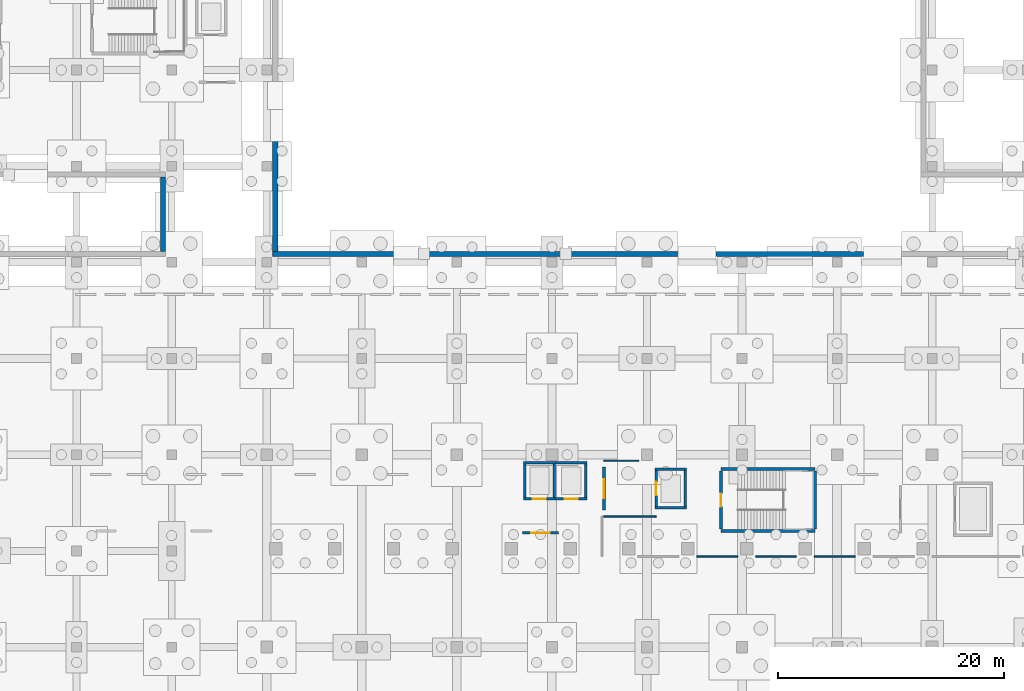
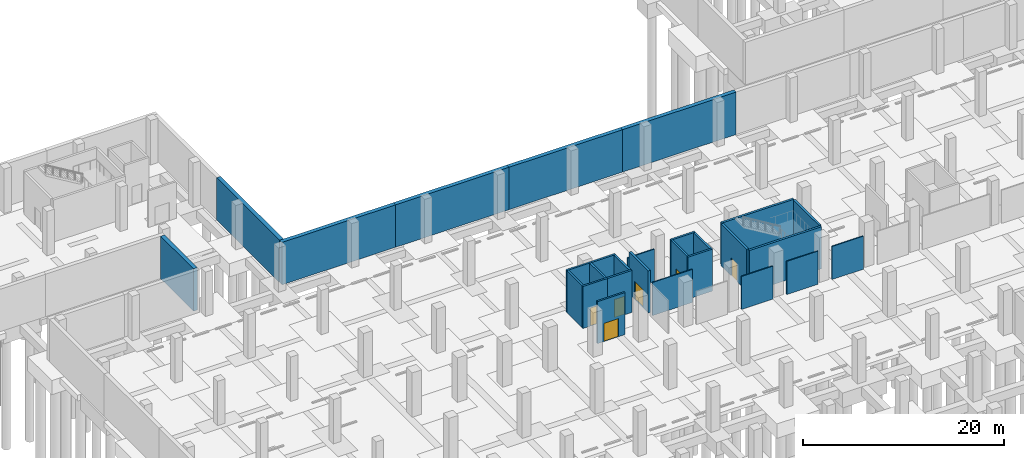
# One storey, part 25 of 34: 28 walls, 6 doors, 6 openings.
"""IFC4 building model written with IfcOpenShell, lengths in metres."""

from ifc_helpers import new_model, si_unit, direction, frame, frame_2d, origin, place, context, subcontext, project, spatial, rectangle, extrude, material, layer, layer_set, type_object, element, fill, save


model = new_model("IFC4")

# Units and contexts
model_context = context("Model", 3, precision=1e-05, world=origin(), true_north=direction((0.0, 1.0)))
body_context = subcontext(model_context, "Body", "Model", "MODEL_VIEW")
ifc_project = project(units=[si_unit("LENGTHUNIT", "METRE"), si_unit("AREAUNIT", "SQUARE_METRE"), si_unit("VOLUMEUNIT", "CUBIC_METRE"), si_unit("PLANEANGLEUNIT", "RADIAN"), si_unit("MASSUNIT", "GRAM", prefix="KILO")], contexts=[model_context])

# Site, building, storey
site_placement = place(None, origin())
site = spatial("IfcSite", under=ifc_project, at=site_placement, CompositionType="ELEMENT")
building_placement = place(site_placement, origin())
building = spatial("IfcBuilding", under=site, at=building_placement, Name="Solvento Point Concert Hall", CompositionType="ELEMENT")
storey_placement = place(building_placement, frame((0.0, 0.0, -5.39990234375)))
storey = spatial("IfcBuildingStorey", under=building, at=storey_placement, Name="B01", CompositionType="ELEMENT", Elevation=-5.39990234375)

# Walls
ifc_material_1 = material(Name="Acoustic Double-Stud Gypsum Partition")
ifc_layer_1 = layer(ifc_material_1, 0.1201171875)
ifc_layer_set_1 = layer_set([ifc_layer_1], Name="Acoustic Double-Stud Gypsum Partition")
wall_type_1 = type_object("IfcWallType", Name="AcousticPartition_120", PredefinedType="PARTITIONING", material=ifc_layer_set_1)
for number, where, z_axis, x_axis, name in (
    (1, (126.39990234375, 84.52001953125, 0.0), (0.0, 0.0, 1.0), (-1.0, 0.0, 0.0), "Interior acoustic partition PW-52 B01"),
    (2, (121.199951171875, 84.52001953125, 0.0), (0.0, 0.0, 1.0), (-1.0, 0.0, 0.0), "Interior acoustic partition PW-52 B01"),
):
    element("IfcWall", number, at=place(storey_placement, frame(where, z_axis=z_axis, x_axis=x_axis)), inside=storey, type_object=wall_type_1, Name=name, PredefinedType="PARTITIONING", context=body_context, shape_type="SweptSolid", body=[
        extrude(rectangle(XDim=3.599853515625, YDim=0.1201171875, at=frame_2d((1.7998046875, 0.0))), origin(), (0.0, 0.0, 1.0), 4.02001953125),
    ])
wall_1_placement = place(storey_placement, frame((116.0, 84.52001953125, 0.0), z_axis=(0.0, 0.0, 1.0), x_axis=(-1.0, 0.0, 0.0)))
element("IfcWall", 3, at=wall_1_placement, inside=storey, type_object=wall_type_1, Name="Interior acoustic partition PW-52 B01", PredefinedType="PARTITIONING", context=body_context, shape_type="SweptSolid", body=[
    extrude(rectangle(XDim=3.60009765625, YDim=0.1201171875, at=frame_2d((1.800048828125, 0.0))), origin(), (0.0, 0.0, 1.0), 4.02001953125),
])
wall_2_placement = place(storey_placement, frame((104.199462890625, 88.030029296875, 0.0), z_axis=(0.0, 0.0, 1.0), x_axis=(1.0, 0.0, 0.0)))
element("IfcWall", 4, at=wall_2_placement, inside=storey, type_object=wall_type_1, Name="Interior acoustic partition PW-52 B01", PredefinedType="PARTITIONING", context=body_context, shape_type="SweptSolid", body=[
    extrude(rectangle(XDim=4.60107421875, YDim=0.1201171875, at=frame_2d((2.300537109375, 0.0))), origin(), (0.0, 0.0, 1.0), 4.02001953125),
])
wall_3_placement = place(storey_placement, frame((107.25, 92.969970703125, 0.0), z_axis=(0.0, 0.0, 1.0), x_axis=(-1.0, 0.0, 0.0)))
element("IfcWall", 5, at=wall_3_placement, inside=storey, type_object=wall_type_1, Name="Interior acoustic partition PW-52 B01", PredefinedType="PARTITIONING", context=body_context, shape_type="SweptSolid", body=[
    extrude(rectangle(XDim=3.050537109375, YDim=0.1201171875, at=frame_2d((1.525390625, 0.0))), origin(), (0.0, 0.0, 1.0), 4.02001953125),
])

# Wall, opening, door
ifc_material_2 = material(Name="Acoustic Double-Stud Gypsum Partition")
ifc_layer_2 = layer(ifc_material_2, 0.2080078125)
ifc_layer_set_2 = layer_set([ifc_layer_2], Name="Acoustic Double-Stud Gypsum Partition")
wall_type_2 = type_object("IfcWallType", Name="AcousticPartition_208", PredefinedType="PARTITIONING", material=ifc_layer_set_2)
wall_4_placement = place(storey_placement, frame((97.0, 86.60009765625, 0.0), z_axis=(0.0, 0.0, 1.0), x_axis=(1.0, 0.0, 0.0)))
wall_4 = element("IfcWall", 6, at=wall_4_placement, inside=storey, type_object=wall_type_2, Name="Lift lobby partition LP-01 B01", PredefinedType="PARTITIONING", context=body_context, shape_type="SweptSolid", body=[
    extrude(rectangle(XDim=3.199951171875, YDim=0.2080078125, at=frame_2d((1.60009765625, 0.0))), origin(), (0.0, 0.0, 1.0), 5.099853515625),
])
opening_1_placement = place(wall_4_placement, frame((0.77490234375, 0.0, 0.0)))
opening_1 = element("IfcOpeningElement", 7, at=opening_1_placement, cuts=wall_4, Name="Opening D-FL1", PredefinedType="OPENING", context=body_context, shape_type="SweptSolid", body=[
    extrude(rectangle(XDim=1.64990234375, YDim=2.199951171875, at=frame_2d((0.824951171875, 1.10009765625))), frame((0.0, 0.114013671875, 0.0), z_axis=(0.0, -1.0, 0.0), x_axis=(1.0, 0.0, 0.0)), (0.0, 0.0, 1.0), 0.22802734375),
])
ifc_material_3 = material(Name="Hollow Metal Acoustic Fire Door")
door_type_1 = type_object("IfcDoorType", Name="FireLobbyDoor_1600", OperationType="DOUBLE_DOOR_SINGLE_SWING", PredefinedType="DOOR", material=ifc_material_3)
door_1_placement = place(opening_1_placement, origin())
door_1 = element("IfcDoor", 8, at=door_1_placement, inside=storey, type_object=door_type_1, Name="Lift lobby door LP-01 B01", OperationType="DOUBLE_DOOR_SINGLE_SWING", OverallHeight=2.199951171875, OverallWidth=1.64990234375, PredefinedType="DOOR", context=body_context, shape_type="SweptSolid", body=[
    extrude(rectangle(XDim=1.64990234375, YDim=2.199951171875, at=frame_2d((0.824951171875, 1.10009765625))), frame((0.0, 0.02490234375, 0.0), z_axis=(0.0, -1.0, 0.0), x_axis=(1.0, 0.0, 0.0)), (0.0, 0.0, 1.0), 0.050048828125),
])
fill(opening_1, door_1)

# Walls
ifc_material_4 = material(Name="Concrete C40/50", Category="concrete")
ifc_layer_3 = layer(ifc_material_4, 0.300048828125)
ifc_layer_set_3 = layer_set([ifc_layer_3], Name="Concrete C40/50")
wall_type_3 = type_object("IfcWallType", Name="CoreShearWall_300", PredefinedType="SHEAR", material=ifc_layer_set_3)
for number, where, z_axis, x_axis, name in (
    (9, (122.85009765625, 86.75, 0.0), (0.0, 0.0, 1.0), (-1.0, 0.0, 0.0), "Stair core shear wall W-SH1 ST-03 B01"),
    (10, (114.550048828125, 92.25, 0.0), (0.0, 0.0, 1.0), (1.0, 0.0, 0.0), "Stair core shear wall W-SH1 ST-03 B01"),
):
    element("IfcWall", number, at=place(storey_placement, frame(where, z_axis=z_axis, x_axis=x_axis)), inside=storey, type_object=wall_type_3, Name=name, PredefinedType="SHEAR", context=body_context, shape_type="SweptSolid", body=[
        extrude(rectangle(XDim=8.300048828125, YDim=0.25, at=frame_2d((4.14990234375, 0.0))), origin(), (0.0, 0.0, 1.0), 5.099853515625),
    ])

# Wall, opening, door
wall_5_placement = place(storey_placement, frame((114.550048828125, 86.949951171875, 0.0), z_axis=(0.0, 0.0, 1.0), x_axis=(0.0, 1.0, 0.0)))
wall_5 = element("IfcWall", 11, at=wall_5_placement, inside=storey, type_object=wall_type_3, Name="Stair core shear wall W-SH1 ST-03 B01", PredefinedType="SHEAR", context=body_context, shape_type="SweptSolid", body=[
    extrude(rectangle(XDim=5.10009765625, YDim=0.25, at=frame_2d((2.550048828125, 0.0))), origin(), (0.0, 0.0, 1.0), 5.099853515625),
])
opening_2_placement = place(wall_5_placement, frame((1.97509765625, 0.0, 0.0)))
opening_2 = element("IfcOpeningElement", 12, at=opening_2_placement, cuts=wall_5, Name="Opening D-ST1", PredefinedType="OPENING", context=body_context, shape_type="SweptSolid", body=[
    extrude(rectangle(XDim=1.14990234375, YDim=2.179931640625, at=frame_2d((0.574951171875, 1.08984375))), frame((0.0, 0.135009765625, 0.0), z_axis=(0.0, -1.0, 0.0), x_axis=(1.0, 0.0, 0.0)), (0.0, 0.0, 1.0), 0.27001953125),
])
ifc_material_5 = material(Name="Hollow Metal Acoustic Fire Door")
door_type_2 = type_object("IfcDoorType", Name="StairFireDoor_1150", OperationType="NOTDEFINED", PredefinedType="DOOR", material=ifc_material_5)
door_2_placement = place(opening_2_placement, origin())
door_2 = element("IfcDoor", 13, at=door_2_placement, inside=storey, type_object=door_type_2, Name="Protected exit stair door ST-03 B01", OperationType="SINGLE_SWING_LEFT", OverallHeight=2.179931640625, OverallWidth=1.14990234375, PredefinedType="DOOR", context=body_context, shape_type="SweptSolid", body=[
    extrude(rectangle(XDim=1.14990234375, YDim=2.179931640625, at=frame_2d((0.574951171875, 1.08984375))), frame((0.0, 0.02490234375, 0.0), z_axis=(0.0, -1.0, 0.0), x_axis=(1.0, 0.0, 0.0)), (0.0, 0.0, 1.0), 0.050048828125),
])
fill(opening_2, door_2)

# Walls
wall_6_placement = place(storey_placement, frame((122.85009765625, 92.050048828125, 0.0), z_axis=(0.0, 0.0, 1.0), x_axis=(0.0, -1.0, 0.0)))
element("IfcWall", 14, at=wall_6_placement, inside=storey, type_object=wall_type_3, Name="Stair core shear wall W-SH1 ST-03 B01", PredefinedType="SHEAR", context=body_context, shape_type="SweptSolid", body=[
    extrude(rectangle(XDim=5.10009765625, YDim=0.25, at=frame_2d((2.550048828125, 0.0))), origin(), (0.0, 0.0, 1.0), 5.099853515625),
])
for number, where, z_axis, x_axis, name in (
    (15, (108.68994140625, 88.800048828125, 0.0), (0.0, 0.0, 1.0), (1.0, 0.0, 0.0), "Elevator shaft shear wall W-SH1 LF-02 B01"),
    (16, (108.68994140625, 92.199951171875, 0.0), (0.0, 0.0, 1.0), (1.0, 0.0, 0.0), "Elevator shaft shear wall W-SH1 LF-02 B01"),
):
    element("IfcWall", number, at=place(storey_placement, frame(where, z_axis=z_axis, x_axis=x_axis)), inside=storey, type_object=wall_type_3, Name=name, PredefinedType="SHEAR", context=body_context, shape_type="SweptSolid", body=[
        extrude(rectangle(XDim=2.820068359375, YDim=0.219970703125, at=frame_2d((1.41015625, 0.0))), origin(), (0.0, 0.0, 1.0), 5.099853515625),
    ])

# Wall, opening, door
wall_7_placement = place(storey_placement, frame((108.800048828125, 88.909912109375, 0.0), z_axis=(0.0, 0.0, 1.0), x_axis=(0.0, 1.0, 0.0)))
wall_7 = element("IfcWall", 17, at=wall_7_placement, inside=storey, type_object=wall_type_3, Name="Elevator shaft shear wall W-SH1 LF-02 B01", PredefinedType="SHEAR", context=body_context, shape_type="SweptSolid", body=[
    extrude(rectangle(XDim=3.18017578125, YDim=0.219970703125, at=frame_2d((1.590087890625, 0.0))), origin(), (0.0, 0.0, 1.0), 5.099853515625),
])
opening_3_placement = place(wall_7_placement, frame((0.989990234375, 0.0, 0.0)))
opening_3 = element("IfcOpeningElement", 18, at=opening_3_placement, cuts=wall_7, Name="Opening LD-01", PredefinedType="OPENING", context=body_context, shape_type="SweptSolid", body=[
    extrude(rectangle(XDim=1.199951171875, YDim=2.25, at=frame_2d((0.60009765625, 1.125))), frame((0.0, 0.119873046875, 0.0), z_axis=(0.0, -1.0, 0.0), x_axis=(1.0, 0.0, 0.0)), (0.0, 0.0, 1.0), 0.239990234375),
])
ifc_material_6 = material(Name="Hollow Metal Acoustic Fire Door")
door_type_3 = type_object("IfcDoorType", Name="LiftLandingDoor_FF", OperationType="SLIDING_TO_LEFT", PredefinedType="DOOR", material=ifc_material_6)
door_3_placement = place(opening_3_placement, origin())
door_3 = element("IfcDoor", 19, at=door_3_placement, inside=storey, type_object=door_type_3, Name="Elevator landing door LF-02 B01", OperationType="SLIDING_TO_LEFT", OverallHeight=2.25, OverallWidth=1.199951171875, PredefinedType="DOOR", context=body_context, shape_type="SweptSolid", body=[
    extrude(rectangle(XDim=1.199951171875, YDim=2.25, at=frame_2d((0.60009765625, 1.125))), frame((0.0, 0.02490234375, 0.0), z_axis=(0.0, -1.0, 0.0), x_axis=(1.0, 0.0, 0.0)), (0.0, 0.0, 1.0), 0.050048828125),
])
fill(opening_3, door_3)

# Wall
wall_8_placement = place(storey_placement, frame((111.39990234375, 88.909912109375, 0.0), z_axis=(0.0, 0.0, 1.0), x_axis=(0.0, 1.0, 0.0)))
element("IfcWall", 20, at=wall_8_placement, inside=storey, type_object=wall_type_3, Name="Elevator shaft shear wall W-SH1 LF-02 B01", PredefinedType="SHEAR", context=body_context, shape_type="SweptSolid", body=[
    extrude(rectangle(XDim=3.18017578125, YDim=0.219970703125, at=frame_2d((1.590087890625, 0.0))), origin(), (0.0, 0.0, 1.0), 5.099853515625),
])

# Wall, opening, door
wall_9_placement = place(storey_placement, frame((97.090087890625, 89.60009765625, 0.0), z_axis=(0.0, 0.0, 1.0), x_axis=(1.0, 0.0, 0.0)))
wall_9 = element("IfcWall", 21, at=wall_9_placement, inside=storey, type_object=wall_type_3, Name="Elevator shaft shear wall W-SH1 LP-01 B01", PredefinedType="SHEAR", context=body_context, shape_type="SweptSolid", body=[
    extrude(rectangle(XDim=2.81982421875, YDim=0.219970703125, at=frame_2d((1.409912109375, 0.0))), origin(), (0.0, 0.0, 1.0), 5.099853515625),
])
opening_4_placement = place(wall_9_placement, frame((0.8349609375, 0.0, 0.0)))
opening_4 = element("IfcOpeningElement", 22, at=opening_4_placement, cuts=wall_9, Name="Opening LD-02", PredefinedType="OPENING", context=body_context, shape_type="SweptSolid", body=[
    extrude(rectangle(XDim=1.14990234375, YDim=2.199951171875, at=frame_2d((0.574951171875, 1.10009765625))), frame((0.0, 0.119873046875, 0.0), z_axis=(0.0, -1.0, 0.0), x_axis=(1.0, 0.0, 0.0)), (0.0, 0.0, 1.0), 0.239990234375),
])
ifc_material_7 = material(Name="Hollow Metal Acoustic Fire Door")
door_type_4 = type_object("IfcDoorType", Name="LiftLandingDoor_Pass", OperationType="SLIDING_TO_LEFT", PredefinedType="DOOR", material=ifc_material_7)
door_4_placement = place(opening_4_placement, origin())
door_4 = element("IfcDoor", 23, at=door_4_placement, inside=storey, type_object=door_type_4, Name="Elevator landing door LP-01 B01", OperationType="SLIDING_TO_LEFT", OverallHeight=2.199951171875, OverallWidth=1.14990234375, PredefinedType="DOOR", context=body_context, shape_type="SweptSolid", body=[
    extrude(rectangle(XDim=1.14990234375, YDim=2.199951171875, at=frame_2d((0.574951171875, 1.10009765625))), frame((0.0, 0.02490234375, 0.0), z_axis=(0.0, -1.0, 0.0), x_axis=(1.0, 0.0, 0.0)), (0.0, 0.0, 1.0), 0.050048828125),
])
fill(opening_4, door_4)

# Walls
wall_10_placement = place(storey_placement, frame((97.090087890625, 92.800048828125, 0.0), z_axis=(0.0, 0.0, 1.0), x_axis=(1.0, 0.0, 0.0)))
element("IfcWall", 24, at=wall_10_placement, inside=storey, type_object=wall_type_3, Name="Elevator shaft shear wall W-SH1 LP-01 B01", PredefinedType="SHEAR", context=body_context, shape_type="SweptSolid", body=[
    extrude(rectangle(XDim=2.81982421875, YDim=0.219970703125, at=frame_2d((1.409912109375, 0.0))), origin(), (0.0, 0.0, 1.0), 5.099853515625),
])
for number, where, z_axis, x_axis, name in (
    (25, (97.199951171875, 89.7099609375, 0.0), (0.0, 0.0, 1.0), (0.0, 1.0, 0.0), "Elevator shaft shear wall W-SH1 LP-01 B01"),
    (26, (99.800048828125, 89.7099609375, 0.0), (0.0, 0.0, 1.0), (0.0, 1.0, 0.0), "Elevator shaft shear wall W-SH1 LP-01 B01"),
):
    element("IfcWall", number, at=place(storey_placement, frame(where, z_axis=z_axis, x_axis=x_axis)), inside=storey, type_object=wall_type_3, Name=name, PredefinedType="SHEAR", context=body_context, shape_type="SweptSolid", body=[
        extrude(rectangle(XDim=2.97998046875, YDim=0.219970703125, at=frame_2d((1.489990234375, 0.0))), origin(), (0.0, 0.0, 1.0), 5.099853515625),
    ])

# Wall, opening, door
wall_11_placement = place(storey_placement, frame((99.909912109375, 89.60009765625, 0.0), z_axis=(0.0, 0.0, 1.0), x_axis=(1.0, 0.0, 0.0)))
wall_11 = element("IfcWall", 27, at=wall_11_placement, inside=storey, type_object=wall_type_3, Name="Elevator shaft shear wall W-SH1 LP-02 B01", PredefinedType="SHEAR", context=body_context, shape_type="SweptSolid", body=[
    extrude(rectangle(XDim=2.800048828125, YDim=0.219970703125, at=frame_2d((1.39990234375, 0.0))), origin(), (0.0, 0.0, 1.0), 5.099853515625),
])
opening_5_placement = place(wall_11_placement, frame((0.81494140625, 0.0, 0.0)))
opening_5 = element("IfcOpeningElement", 28, at=opening_5_placement, cuts=wall_11, Name="Opening LD-02", PredefinedType="OPENING", context=body_context, shape_type="SweptSolid", body=[
    extrude(rectangle(XDim=1.14990234375, YDim=2.199951171875, at=frame_2d((0.574951171875, 1.10009765625))), frame((0.0, 0.119873046875, 0.0), z_axis=(0.0, -1.0, 0.0), x_axis=(1.0, 0.0, 0.0)), (0.0, 0.0, 1.0), 0.239990234375),
])
door_5_placement = place(opening_5_placement, origin())
door_5 = element("IfcDoor", 29, at=door_5_placement, inside=storey, type_object=door_type_4, Name="Elevator landing door LP-02 B01", OperationType="SLIDING_TO_LEFT", OverallHeight=2.199951171875, OverallWidth=1.14990234375, PredefinedType="DOOR", context=body_context, shape_type="SweptSolid", body=[
    extrude(rectangle(XDim=1.14990234375, YDim=2.199951171875, at=frame_2d((0.574951171875, 1.10009765625))), frame((0.0, 0.02490234375, 0.0), z_axis=(0.0, -1.0, 0.0), x_axis=(1.0, 0.0, 0.0)), (0.0, 0.0, 1.0), 0.050048828125),
])
fill(opening_5, door_5)

# Walls
wall_12_placement = place(storey_placement, frame((99.909912109375, 92.800048828125, 0.0), z_axis=(0.0, 0.0, 1.0), x_axis=(1.0, 0.0, 0.0)))
element("IfcWall", 30, at=wall_12_placement, inside=storey, type_object=wall_type_3, Name="Elevator shaft shear wall W-SH1 LP-02 B01", PredefinedType="SHEAR", context=body_context, shape_type="SweptSolid", body=[
    extrude(rectangle(XDim=2.800048828125, YDim=0.219970703125, at=frame_2d((1.39990234375, 0.0))), origin(), (0.0, 0.0, 1.0), 5.099853515625),
])
wall_13_placement = place(storey_placement, frame((102.60009765625, 89.7099609375, 0.0), z_axis=(0.0, 0.0, 1.0), x_axis=(0.0, 1.0, 0.0)))
element("IfcWall", 31, at=wall_13_placement, inside=storey, type_object=wall_type_3, Name="Elevator shaft shear wall W-SH1 LP-02 B01", PredefinedType="SHEAR", context=body_context, shape_type="SweptSolid", body=[
    extrude(rectangle(XDim=2.97998046875, YDim=0.219970703125, at=frame_2d((1.489990234375, 0.0))), origin(), (0.0, 0.0, 1.0), 5.099853515625),
])

# Wall, opening, door
ifc_material_8 = material(Name="Concrete C40/50", Category="concrete")
ifc_layer_4 = layer(ifc_material_8, 0.35009765625)
ifc_layer_set_4 = layer_set([ifc_layer_4], Name="Concrete C40/50")
wall_type_4 = type_object("IfcWallType", Name="CoreShearWall_350", PredefinedType="SHEAR", material=ifc_layer_set_4)
wall_14_placement = place(storey_placement, frame((104.199951171875, 92.39990234375, 0.0), z_axis=(0.0, 0.0, 1.0), x_axis=(0.0, -1.0, 0.0)))
wall_14 = element("IfcWall", 32, at=wall_14_placement, inside=storey, type_object=wall_type_4, Name="Firefighting lift lobby wall LF-02 B01", PredefinedType="SHEAR", context=body_context, shape_type="SweptSolid", body=[
    extrude(rectangle(XDim=3.7998046875, YDim=0.280029296875, at=frame_2d((1.89990234375, 0.0))), origin(), (0.0, 0.0, 1.0), 5.099853515625),
])
opening_6_placement = place(wall_14_placement, frame((1.074951171875, 0.0, 0.0)))
opening_6 = element("IfcOpeningElement", 33, at=opening_6_placement, cuts=wall_14, Name="Opening D-FL1", PredefinedType="OPENING", context=body_context, shape_type="SweptSolid", body=[
    extrude(rectangle(XDim=1.64990234375, YDim=2.199951171875, at=frame_2d((0.824951171875, 1.10009765625))), frame((0.0, 0.14990234375, 0.0), z_axis=(0.0, -1.0, 0.0), x_axis=(1.0, 0.0, 0.0)), (0.0, 0.0, 1.0), 0.300048828125),
])
door_6_placement = place(opening_6_placement, origin())
door_6 = element("IfcDoor", 34, at=door_6_placement, inside=storey, type_object=door_type_1, Name="Firefighting lobby door LF-02 B01", OperationType="DOUBLE_DOOR_SINGLE_SWING", OverallHeight=2.199951171875, OverallWidth=1.64990234375, PredefinedType="DOOR", context=body_context, shape_type="SweptSolid", body=[
    extrude(rectangle(XDim=1.64990234375, YDim=2.199951171875, at=frame_2d((0.824951171875, 1.10009765625))), frame((0.0, 0.02490234375, 0.0), z_axis=(0.0, -1.0, 0.0), x_axis=(1.0, 0.0, 0.0)), (0.0, 0.0, 1.0), 0.050048828125),
])
fill(opening_6, door_6)

# Walls
ifc_material_9 = material(Name="Concrete C35/45", Category="concrete")
ifc_layer_5 = layer(ifc_material_9, 0.449951171875)
ifc_layer_set_5 = layer_set([ifc_layer_5], Name="Concrete C35/45")
wall_type_5 = type_object("IfcWallType", Name="RetainingWall_450", PredefinedType="USERDEFINED", material=ifc_layer_set_5)
wall_15_placement = place(storey_placement, frame((65.2451171875, 111.47998046875, 0.0), z_axis=(0.0, 0.0, 1.0), x_axis=(0.0, 1.0, 0.0)))
element("IfcWall", 35, at=wall_15_placement, inside=storey, type_object=wall_type_5, Name="Headland plinth retaining wall RW-01", ObjectType="RETAINING WALL", PredefinedType="USERDEFINED", context=body_context, shape_type="SweptSolid", body=[
    extrude(rectangle(XDim=6.5400390625, YDim=0.449951171875, at=frame_2d((3.27001953125, 0.0))), origin(), (0.0, 0.0, 1.0), 5.15478515625),
])
wall_16_placement = place(storey_placement, frame((75.155029296875, 124.0048828125, 0.0), z_axis=(0.0, 0.0, 1.0), x_axis=(0.0, -1.0, 0.0)))
element("IfcWall", 36, at=wall_16_placement, inside=storey, type_object=wall_type_5, Name="Headland plinth retaining wall RW-01", ObjectType="RETAINING WALL", PredefinedType="USERDEFINED", context=body_context, shape_type="SweptSolid", body=[
    extrude(rectangle(XDim=12.52490234375, YDim=0.449951171875, at=frame_2d((6.262451171875, 0.0))), origin(), (0.0, 0.0, 1.0), 5.15478515625),
])
for number, where, z_axis, x_axis, name in (
    (37, (74.929931640625, 111.2548828125, 0.0), (0.0, 0.0, 1.0), (1.0, 0.0, 0.0), "Headland plinth retaining wall RW-01"),
    (38, (87.978515625, 111.2548828125, 0.0), (0.0, 0.0, 1.0), (1.0, 0.0, 0.0), "Headland plinth retaining wall RW-01"),
    (39, (101.027099609375, 111.2548828125, 0.0), (0.0, 0.0, 1.0), (1.0, 0.0, 0.0), "Headland plinth retaining wall RW-01"),
    (40, (114.07568359375, 111.2548828125, 0.0), (0.0, 0.0, 1.0), (1.0, 0.0, 0.0), "Headland plinth retaining wall RW-01"),
):
    element("IfcWall", number, at=place(storey_placement, frame(where, z_axis=z_axis, x_axis=x_axis)), inside=storey, type_object=wall_type_5, Name=name, ObjectType="RETAINING WALL", PredefinedType="USERDEFINED", context=body_context, shape_type="SweptSolid", body=[
        extrude(rectangle(XDim=13.048583984375, YDim=0.449951171875, at=frame_2d((6.5244140625, 0.0))), origin(), (0.0, 0.0, 1.0), 5.15478515625),
    ])

save(model, "model.ifc")
